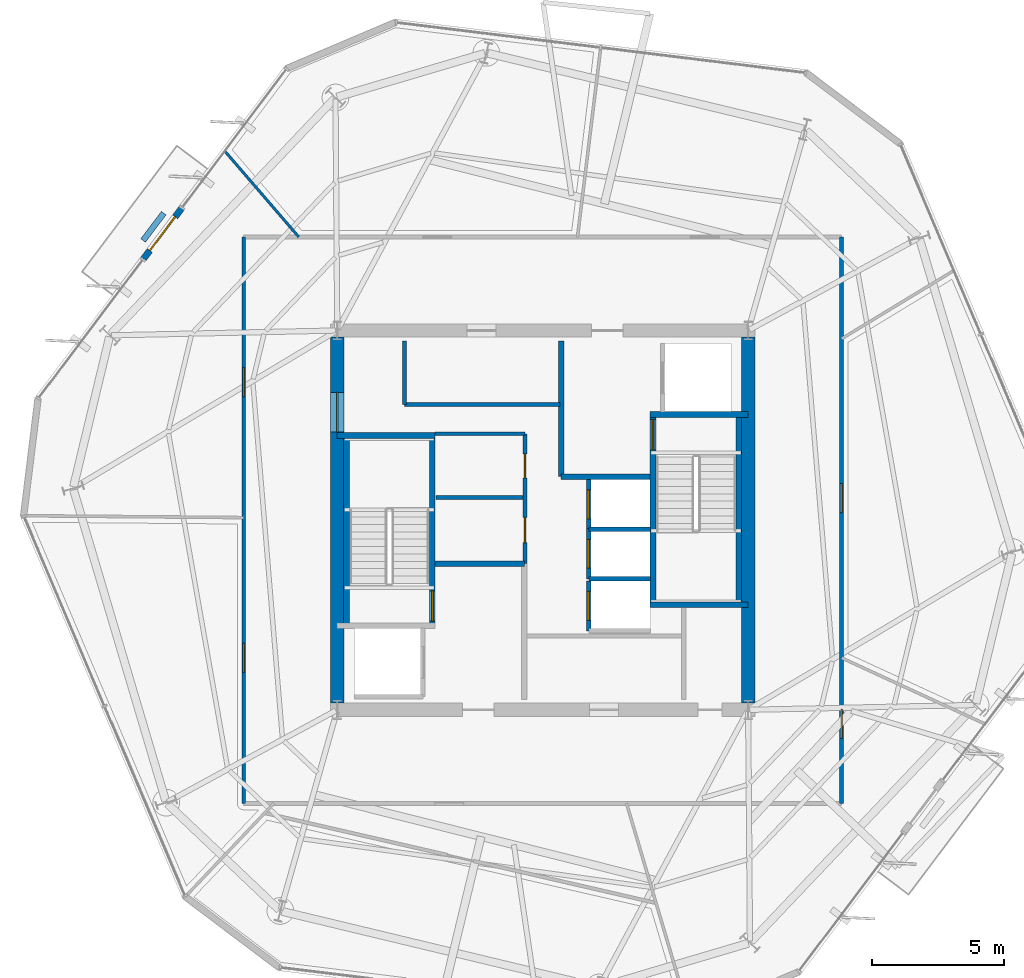
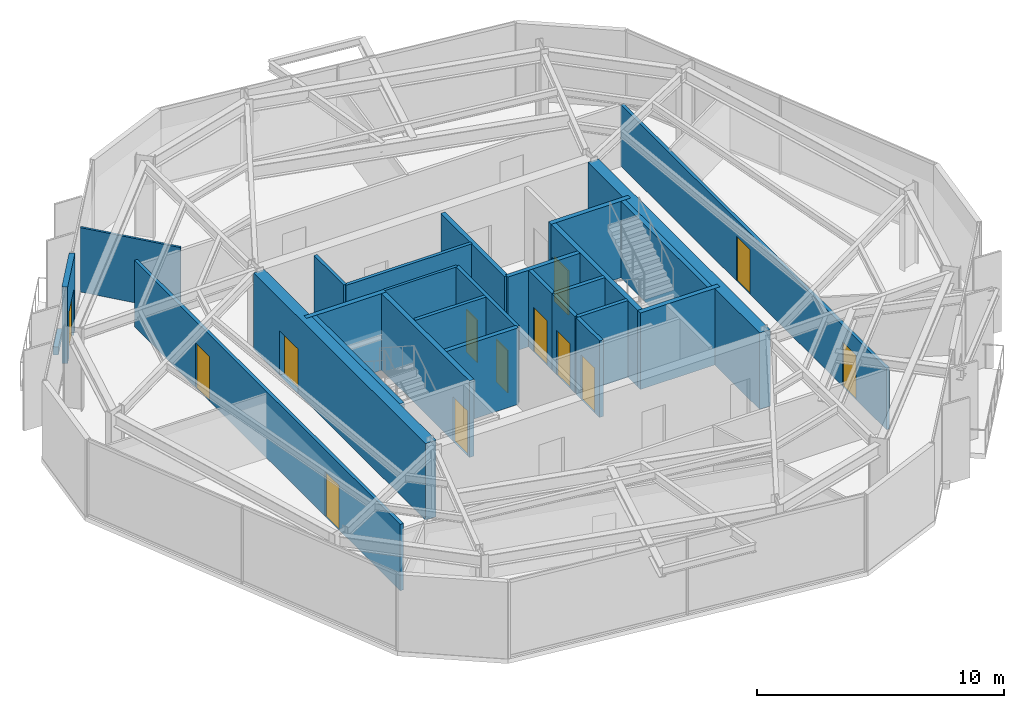
# One storey, part 8 of 12: 27 walls, 13 doors, 13 openings.
"""IFC4 building model written with IfcOpenShell, lengths in metres."""

from ifc_helpers import new_model, si_unit, direction, frame, frame_2d, origin, place, context, subcontext, project, spatial, rectangle, extrude, material, layer, layer_set, type_object, element, fill, save


model = new_model("IFC4")

# Units and contexts
model_context = context("Model", 3, precision=1e-05, world=origin(), true_north=direction((0.0, 1.0)))
body_context = subcontext(model_context, "Body", "Model", "MODEL_VIEW")
ifc_project = project(units=[si_unit("LENGTHUNIT", "METRE"), si_unit("AREAUNIT", "SQUARE_METRE"), si_unit("VOLUMEUNIT", "CUBIC_METRE"), si_unit("PLANEANGLEUNIT", "RADIAN"), si_unit("MASSUNIT", "GRAM", prefix="KILO")], contexts=[model_context])

# Site, building, storey
site_placement = place(None, origin())
site = spatial("IfcSite", under=ifc_project, at=site_placement, CompositionType="ELEMENT")
building_placement = place(site_placement, origin())
building = spatial("IfcBuilding", under=site, at=building_placement, Name="Kranzbogen Civic Tower", CompositionType="ELEMENT")
storey_placement = place(building_placement, frame((0.0, 0.0, 236.800048828125)))
storey = spatial("IfcBuildingStorey", under=building, at=storey_placement, Name="L57", CompositionType="ELEMENT", Elevation=236.800048828125)

# Walls
ifc_material_1 = material(Name="Double-Stud Acoustic Gypsum Partition")
ifc_layer_1 = layer(ifc_material_1, 0.14990234375, Name="Double-Stud Acoustic Gypsum Partition")
ifc_layer_set_1 = layer_set([ifc_layer_1], Name="Double-Stud Acoustic Gypsum Partition")
wall_type_1 = type_object("IfcWallType", Name="Acoustic Corridor and Clinical Partition 150 mm", PredefinedType="PARTITIONING", material=ifc_layer_set_1)
wall_1_placement = place(storey_placement, frame((19.75, 29.389892578125, 0.0), z_axis=(0.0, 0.0, 1.0), x_axis=(1.0, 0.0, 0.0)))
element("IfcWall", 1, at=wall_1_placement, inside=storey, type_object=wall_type_1, Name="L57 digital comms South wall", PredefinedType="PARTITIONING", context=body_context, shape_type="SweptSolid", body=[
    extrude(rectangle(XDim=5.89990234375, YDim=0.14990234375, at=frame_2d((2.949951171875, 0.0))), origin(), (0.0, 0.0, 1.0), 3.780029296875),
])
wall_2_placement = place(storey_placement, frame((19.75, 29.389892578125, 0.0), z_axis=(0.0, 0.0, 1.0), x_axis=(0.0, 1.0, 0.0)))
element("IfcWall", 2, at=wall_2_placement, inside=storey, type_object=wall_type_1, Name="L57 digital comms West wall", PredefinedType="PARTITIONING", context=body_context, shape_type="SweptSolid", body=[
    extrude(rectangle(XDim=2.41015625, YDim=0.14990234375, at=frame_2d((1.205078125, 0.0))), origin(), (0.0, 0.0, 1.0), 3.780029296875),
])

# Wall, openings, doors
wall_3_placement = place(storey_placement, frame((36.35009765625, 35.75, 0.0), z_axis=(0.0, 0.0, 1.0), x_axis=(0.0, -1.0, 0.0)))
wall_3 = element("IfcWall", 3, at=wall_3_placement, inside=storey, type_object=wall_type_1, Name="L57 corridor partition 02", PredefinedType="PARTITIONING", context=body_context, shape_type="SweptSolid", body=[
    extrude(rectangle(XDim=21.5, YDim=0.14990234375, at=frame_2d((10.75, 0.0))), origin(), (0.0, 0.0, 1.0), 3.02001953125),
])
opening_1_placement = place(wall_3_placement, frame((17.93603515625, 0.0, 0.0)))
opening_1 = element("IfcOpeningElement", 4, at=opening_1_placement, cuts=wall_3, Name="Opening D-COR60", PredefinedType="OPENING", context=body_context, shape_type="SweptSolid", body=[
    extrude(rectangle(XDim=1.10009765625, YDim=2.199951171875, at=frame_2d((0.550048828125, 1.10009765625))), frame((0.0, 0.0849609375, 0.0), z_axis=(0.0, -1.0, 0.0), x_axis=(1.0, 0.0, 0.0)), (0.0, 0.0, 1.0), 0.169921875),
])
opening_2_placement = place(wall_3_placement, frame((9.363037109375, 0.0, 0.0)))
opening_2 = element("IfcOpeningElement", 5, at=opening_2_placement, cuts=wall_3, Name="Opening D-COR60", PredefinedType="OPENING", context=body_context, shape_type="SweptSolid", body=[
    extrude(rectangle(XDim=1.10009765625, YDim=2.199951171875, at=frame_2d((0.550048828125, 1.10009765625))), frame((0.0, 0.0849609375, 0.0), z_axis=(0.0, -1.0, 0.0), x_axis=(1.0, 0.0, 0.0)), (0.0, 0.0, 1.0), 0.169921875),
])
ifc_material_2 = material(Name="Oak Timber and Fire Core", Category="wood")
door_type_1 = type_object("IfcDoorType", Name="Corridor Acoustic Fire Door 1100x2200", OperationType="NOTDEFINED", PredefinedType="DOOR", material=ifc_material_2)
door_1_placement = place(opening_1_placement, origin())
door_1 = element("IfcDoor", 6, at=door_1_placement, inside=storey, type_object=door_type_1, Name="L57 Operations Security Control Room door", OperationType="SINGLE_SWING_RIGHT", OverallHeight=2.199951171875, OverallWidth=1.10009765625, PredefinedType="DOOR", context=body_context, shape_type="SweptSolid", body=[
    extrude(rectangle(XDim=1.10009765625, YDim=2.199951171875, at=frame_2d((0.550048828125, 1.10009765625))), frame((0.0, 0.02490234375, 0.0), z_axis=(0.0, -1.0, 0.0), x_axis=(1.0, 0.0, 0.0)), (0.0, 0.0, 1.0), 0.050048828125),
])
fill(opening_1, door_1)
door_2_placement = place(opening_2_placement, origin())
door_2 = element("IfcDoor", 7, at=door_2_placement, inside=storey, type_object=door_type_1, Name="L57 Central Mail Post Room door", OperationType="SINGLE_SWING_LEFT", OverallHeight=2.199951171875, OverallWidth=1.10009765625, PredefinedType="DOOR", context=body_context, shape_type="SweptSolid", body=[
    extrude(rectangle(XDim=1.10009765625, YDim=2.199951171875, at=frame_2d((0.550048828125, 1.10009765625))), frame((0.0, 0.02490234375, 0.0), z_axis=(0.0, -1.0, 0.0), x_axis=(1.0, 0.0, 0.0)), (0.0, 0.0, 1.0), 0.050048828125),
])
fill(opening_2, door_2)

wall_4_placement = place(storey_placement, frame((13.64990234375, 14.25, 0.0), z_axis=(0.0, 0.0, 1.0), x_axis=(0.0, 1.0, 0.0)))
wall_4 = element("IfcWall", 8, at=wall_4_placement, inside=storey, type_object=wall_type_1, Name="L57 corridor partition 04", PredefinedType="PARTITIONING", context=body_context, shape_type="SweptSolid", body=[
    extrude(rectangle(XDim=21.5, YDim=0.14990234375, at=frame_2d((10.75, 0.0))), origin(), (0.0, 0.0, 1.0), 3.280029296875),
])
opening_3_placement = place(wall_4_placement, frame((4.968017578125, 0.0, 0.0)))
opening_3 = element("IfcOpeningElement", 9, at=opening_3_placement, cuts=wall_4, Name="Opening D-COR60", PredefinedType="OPENING", context=body_context, shape_type="SweptSolid", body=[
    extrude(rectangle(XDim=1.10009765625, YDim=2.199951171875, at=frame_2d((0.550048828125, 1.10009765625))), frame((0.0, 0.0849609375, 0.0), z_axis=(0.0, -1.0, 0.0), x_axis=(1.0, 0.0, 0.0)), (0.0, 0.0, 1.0), 0.169921875),
])
opening_4_placement = place(wall_4_placement, frame((15.43994140625, 0.0, 0.0)))
opening_4 = element("IfcOpeningElement", 10, at=opening_4_placement, cuts=wall_4, Name="Opening D-COR60", PredefinedType="OPENING", context=body_context, shape_type="SweptSolid", body=[
    extrude(rectangle(XDim=1.10009765625, YDim=2.199951171875, at=frame_2d((0.550048828125, 1.10009765625))), frame((0.0, 0.0849609375, 0.0), z_axis=(0.0, -1.0, 0.0), x_axis=(1.0, 0.0, 0.0)), (0.0, 0.0, 1.0), 0.169921875),
])
door_3_placement = place(opening_3_placement, origin())
door_3 = element("IfcDoor", 11, at=door_3_placement, inside=storey, type_object=door_type_1, Name="L57 Delegates Sitting Lounge door", OperationType="SINGLE_SWING_LEFT", OverallHeight=2.199951171875, OverallWidth=1.10009765625, PredefinedType="DOOR", context=body_context, shape_type="SweptSolid", body=[
    extrude(rectangle(XDim=1.10009765625, YDim=2.199951171875, at=frame_2d((0.550048828125, 1.10009765625))), frame((0.0, 0.02490234375, 0.0), z_axis=(0.0, -1.0, 0.0), x_axis=(1.0, 0.0, 0.0)), (0.0, 0.0, 1.0), 0.050048828125),
])
fill(opening_3, door_3)
door_4_placement = place(opening_4_placement, origin())
door_4 = element("IfcDoor", 12, at=door_4_placement, inside=storey, type_object=door_type_1, Name="L57 Public Delegation Reception door", OperationType="SINGLE_SWING_RIGHT", OverallHeight=2.199951171875, OverallWidth=1.10009765625, PredefinedType="DOOR", context=body_context, shape_type="SweptSolid", body=[
    extrude(rectangle(XDim=1.10009765625, YDim=2.199951171875, at=frame_2d((0.550048828125, 1.10009765625))), frame((0.0, 0.02490234375, 0.0), z_axis=(0.0, -1.0, 0.0), x_axis=(1.0, 0.0, 0.0)), (0.0, 0.0, 1.0), 0.050048828125),
])
fill(opening_4, door_4)

# Walls
ifc_material_3 = material(Name="Insulated Metal-Stud Gypsum Partition")
ifc_layer_2 = layer(ifc_material_3, 0.125, Name="Insulated Metal-Stud Gypsum Partition")
ifc_layer_set_2 = layer_set([ifc_layer_2], Name="Insulated Metal-Stud Gypsum Partition")
wall_type_2 = type_object("IfcWallType", Name="Acoustic Inter-Room Partition 125 mm", PredefinedType="PARTITIONING", material=ifc_layer_set_2)
wall_5_placement = place(storey_placement, frame((20.919921875, 28.280029296875, 0.0), z_axis=(0.0, 0.0, 1.0), x_axis=(1.0, 0.0, 0.0)))
element("IfcWall", 13, at=wall_5_placement, inside=storey, type_object=wall_type_2, Name="L57 core auxiliary North wall", PredefinedType="PARTITIONING", context=body_context, shape_type="SweptSolid", body=[
    extrude(rectangle(XDim=3.405029296875, YDim=0.125, at=frame_2d((1.70263671875, 0.0))), origin(), (0.0, 0.0, 1.0), 3.780029296875),
])
ifc_material_4 = material(Name="Architectural Precast Terracotta Concrete C40/50", Category="masonry")
ifc_layer_3 = layer(ifc_material_4, 0.219970703125, Name="Architectural Precast Terracotta Concrete C40/50")
ifc_layer_set_3 = layer_set([ifc_layer_3], Name="Architectural Precast Terracotta Concrete C40/50")
wall_type_3 = type_object("IfcWallType", Name="Architectural Tree Planter Kerb Wall 220 mm", PredefinedType="USERDEFINED", material=ifc_layer_set_3)
wall_6_placement = place(storey_placement, frame((10.612060546875, 36.655029296875, 0.0), z_axis=(0.0, 0.0, 1.0), x_axis=(-0.601681803176, -0.798735881081, 0.0)))
element("IfcWall", 14, at=wall_6_placement, inside=storey, type_object=wall_type_3, Name="L57 landscaped tree balcony planter L57-TB1", ObjectType="PLANTER_WALL", PredefinedType="USERDEFINED", context=body_context, shape_type="SweptSolid", body=[
    extrude(rectangle(XDim=1.299560546875, YDim=0.219970703125, at=frame_2d((0.64990234375, 0.0))), origin(), (0.0, 0.0, 1.0), 0.39990234375),
])

# Wall, opening, door
ifc_material_5 = material(Name="Concrete C45/55", Category="concrete")
ifc_layer_4 = layer(ifc_material_5, 0.5, Name="Concrete C45/55")
ifc_layer_set_4 = layer_set([ifc_layer_4], Name="Concrete C45/55")
wall_type_4 = type_object("IfcWallType", Name="Central Core Shear Wall 500 mm", PredefinedType="SHEAR", material=ifc_layer_set_4)
wall_7_placement = place(storey_placement, frame((17.199951171875, 31.949951171875, 0.0), z_axis=(0.0, 0.0, 1.0), x_axis=(0.0, -1.0, 0.0)))
wall_7 = element("IfcWall", 15, at=wall_7_placement, inside=storey, type_object=wall_type_4, Name="L57 central core West shear wall", PredefinedType="SHEAR", context=body_context, shape_type="SweptSolid", body=[
    extrude(rectangle(XDim=13.89990234375, YDim=0.5, at=frame_2d((6.949951171875, 0.0))), origin(), (0.0, 0.0, 1.0), 3.780029296875),
])
opening_5_placement = place(wall_7_placement, frame((2.10009765625, 0.0, 0.0)))
opening_5 = element("IfcOpeningElement", 16, at=opening_5_placement, cuts=wall_7, Name="Opening D-DBL15", PredefinedType="OPENING", context=body_context, shape_type="SweptSolid", body=[
    extrude(rectangle(XDim=1.5, YDim=2.199951171875, at=frame_2d((0.75, 1.10009765625))), frame((0.0, 0.260009765625, 0.0), z_axis=(0.0, -1.0, 0.0), x_axis=(1.0, 0.0, 0.0)), (0.0, 0.0, 1.0), 0.52001953125),
])
ifc_material_6 = material(Name="Anodised Bronze and Glass", Category="glass")
door_type_2 = type_object("IfcDoorType", Name="Civic Lobby Double Door 1500x2200", OperationType="DOUBLE_DOOR_SINGLE_SWING", PredefinedType="DOOR", material=ifc_material_6)
door_5_placement = place(opening_5_placement, origin())
door_5 = element("IfcDoor", 17, at=door_5_placement, inside=storey, type_object=door_type_2, Name="L57 Central Lift Lobby West concourse door", OperationType="DOUBLE_DOOR_SINGLE_SWING", OverallHeight=2.199951171875, OverallWidth=1.5, PredefinedType="DOOR", context=body_context, shape_type="SweptSolid", body=[
    extrude(rectangle(XDim=1.5, YDim=2.199951171875, at=frame_2d((0.75, 1.10009765625))), frame((0.0, 0.02490234375, 0.0), z_axis=(0.0, -1.0, 0.0), x_axis=(1.0, 0.0, 0.0)), (0.0, 0.0, 1.0), 0.050048828125),
])
fill(opening_5, door_5)

# Wall
wall_8_placement = place(storey_placement, frame((32.800048828125, 18.050048828125, 0.0), z_axis=(0.0, 0.0, 1.0), x_axis=(0.0, 1.0, 0.0)))
element("IfcWall", 18, at=wall_8_placement, inside=storey, type_object=wall_type_4, Name="L57 central core East shear wall", PredefinedType="SHEAR", context=body_context, shape_type="SweptSolid", body=[
    extrude(rectangle(XDim=13.89990234375, YDim=0.5, at=frame_2d((6.949951171875, 0.0))), origin(), (0.0, 0.0, 1.0), 3.780029296875),
])

# Wall, opening, door
ifc_layer_5 = layer(ifc_material_5, 0.219970703125, Name="Concrete C45/55")
ifc_layer_set_5 = layer_set([ifc_layer_5], Name="Concrete C45/55")
wall_type_5 = type_object("IfcWallType", Name="Core Internal Stair Structural Wall 220 mm", PredefinedType="SOLIDWALL", material=ifc_layer_set_5)
wall_9_placement = place(storey_placement, frame((20.81005859375, 20.989990234375, 0.0), z_axis=(0.0, 0.0, 1.0), x_axis=(0.0, 1.0, 0.0)))
wall_9 = element("IfcWall", 19, at=wall_9_placement, inside=storey, type_object=wall_type_5, Name="L57 ST-T1 East structural stair wall", PredefinedType="SOLIDWALL", context=body_context, shape_type="SweptSolid", body=[
    extrude(rectangle(XDim=7.219970703125, YDim=0.219970703125, at=frame_2d((3.60986328125, 0.0))), origin(), (0.0, 0.0, 1.0), 3.780029296875),
])
opening_6_placement = place(wall_9_placement, frame((0.179931640625, 0.0, 0.0)))
opening_6 = element("IfcOpeningElement", 20, at=opening_6_placement, cuts=wall_9, Name="Opening D-ST90", PredefinedType="OPENING", context=body_context, shape_type="SweptSolid", body=[
    extrude(rectangle(XDim=1.14990234375, YDim=2.199951171875, at=frame_2d((0.574951171875, 1.10009765625))), frame((0.0, 0.1201171875, 0.0), z_axis=(0.0, -1.0, 0.0), x_axis=(1.0, 0.0, 0.0)), (0.0, 0.0, 1.0), 0.239990234375),
])
ifc_material_7 = material(Name="Steel S355", Category="steel")
door_type_3 = type_object("IfcDoorType", Name="Pressurized Stair and Lobby Fire Door 1150x2200", OperationType="NOTDEFINED", PredefinedType="DOOR", material=ifc_material_7)
door_6_placement = place(opening_6_placement, origin())
door_6 = element("IfcDoor", 21, at=door_6_placement, inside=storey, type_object=door_type_3, Name="L57 Stair ST-T1 fire door", OperationType="SINGLE_SWING_RIGHT", OverallHeight=2.199951171875, OverallWidth=1.14990234375, PredefinedType="DOOR", context=body_context, shape_type="SweptSolid", body=[
    extrude(rectangle(XDim=1.14990234375, YDim=2.199951171875, at=frame_2d((0.574951171875, 1.10009765625))), frame((0.0, 0.02490234375, 0.0), z_axis=(0.0, -1.0, 0.0), x_axis=(1.0, 0.0, 0.0)), (0.0, 0.0, 1.0), 0.050048828125),
])
fill(opening_6, door_6)

# Walls
wall_10_placement = place(storey_placement, frame((17.199951171875, 28.2099609375, 0.0), z_axis=(0.0, 0.0, 1.0), x_axis=(1.0, 0.0, 0.0)))
element("IfcWall", 22, at=wall_10_placement, inside=storey, type_object=wall_type_5, Name="L57 ST-T1 North structural stair wall", PredefinedType="SOLIDWALL", context=body_context, shape_type="SweptSolid", body=[
    extrude(rectangle(XDim=3.719970703125, YDim=0.219970703125, at=frame_2d((1.85986328125, 0.0))), origin(), (0.0, 0.0, 1.0), 3.780029296875),
])
wall_11_placement = place(storey_placement, frame((17.554931640625, 28.2099609375, 0.0), z_axis=(0.0, 0.0, 1.0), x_axis=(0.0, -1.0, 0.0)))
element("IfcWall", 23, at=wall_11_placement, inside=storey, type_object=wall_type_5, Name="L57 ST-T1 West structural stair wall", PredefinedType="SOLIDWALL", context=body_context, shape_type="SweptSolid", body=[
    extrude(rectangle(XDim=7.219970703125, YDim=0.219970703125, at=frame_2d((3.60986328125, 0.0))), origin(), (0.0, 0.0, 1.0), 3.780029296875),
])

# Wall, opening, door
wall_12_placement = place(storey_placement, frame((29.18994140625, 21.7900390625, 0.0), z_axis=(0.0, 0.0, 1.0), x_axis=(0.0, 1.0, 0.0)))
wall_12 = element("IfcWall", 24, at=wall_12_placement, inside=storey, type_object=wall_type_5, Name="L57 ST-T2 West structural stair wall", PredefinedType="SOLIDWALL", context=body_context, shape_type="SweptSolid", body=[
    extrude(rectangle(XDim=7.219970703125, YDim=0.219970703125, at=frame_2d((3.60986328125, 0.0))), origin(), (0.0, 0.0, 1.0), 3.780029296875),
])
opening_7_placement = place(wall_12_placement, frame((5.8798828125, 0.0, 0.0)))
opening_7 = element("IfcOpeningElement", 25, at=opening_7_placement, cuts=wall_12, Name="Opening D-ST90", PredefinedType="OPENING", context=body_context, shape_type="SweptSolid", body=[
    extrude(rectangle(XDim=1.14990234375, YDim=2.199951171875, at=frame_2d((0.574951171875, 1.10009765625))), frame((0.0, 0.1201171875, 0.0), z_axis=(0.0, -1.0, 0.0), x_axis=(1.0, 0.0, 0.0)), (0.0, 0.0, 1.0), 0.239990234375),
])
door_7_placement = place(opening_7_placement, origin())
door_7 = element("IfcDoor", 26, at=door_7_placement, inside=storey, type_object=door_type_3, Name="L57 Stair ST-T2 fire door", OperationType="SINGLE_SWING_LEFT", OverallHeight=2.199951171875, OverallWidth=1.14990234375, PredefinedType="DOOR", context=body_context, shape_type="SweptSolid", body=[
    extrude(rectangle(XDim=1.14990234375, YDim=2.199951171875, at=frame_2d((0.574951171875, 1.10009765625))), frame((0.0, 0.02490234375, 0.0), z_axis=(0.0, -1.0, 0.0), x_axis=(1.0, 0.0, 0.0)), (0.0, 0.0, 1.0), 0.050048828125),
])
fill(opening_7, door_7)

# Walls
for number, where, z_axis, x_axis, name in (
    (27, (29.080078125, 21.7900390625, 0.0), (0.0, 0.0, 1.0), (1.0, 0.0, 0.0), "L57 ST-T2 South structural stair wall"),
    (28, (29.080078125, 29.010009765625, 0.0), (0.0, 0.0, 1.0), (1.0, 0.0, 0.0), "L57 ST-T2 North structural stair wall"),
):
    element("IfcWall", number, at=place(storey_placement, frame(where, z_axis=z_axis, x_axis=x_axis)), inside=storey, type_object=wall_type_5, Name=name, PredefinedType="SOLIDWALL", context=body_context, shape_type="SweptSolid", body=[
        extrude(rectangle(XDim=3.719970703125, YDim=0.219970703125, at=frame_2d((1.85986328125, 0.0))), origin(), (0.0, 0.0, 1.0), 3.780029296875),
    ])
wall_13_placement = place(storey_placement, frame((32.445068359375, 29.010009765625, 0.0), z_axis=(0.0, 0.0, 1.0), x_axis=(0.0, -1.0, 0.0)))
element("IfcWall", 29, at=wall_13_placement, inside=storey, type_object=wall_type_5, Name="L57 ST-T2 East structural stair wall", PredefinedType="SOLIDWALL", context=body_context, shape_type="SweptSolid", body=[
    extrude(rectangle(XDim=7.219970703125, YDim=0.219970703125, at=frame_2d((3.60986328125, 0.0))), origin(), (0.0, 0.0, 1.0), 3.780029296875),
])
ifc_material_8 = material(Name="Demountable Aluminium and Gypsum Partition", Category="aluminium")
ifc_layer_6 = layer(ifc_material_8, 0.10009765625, Name="Demountable Aluminium and Gypsum Partition")
ifc_layer_set_6 = layer_set([ifc_layer_6], Name="Demountable Aluminium and Gypsum Partition")
wall_type_6 = type_object("IfcWallType", Name="Demountable Office Partition 100 mm", PredefinedType="MOVABLE", material=ifc_layer_set_6)
wall_14_placement = place(storey_placement, frame((15.739990234375, 35.75, 0.0), z_axis=(0.0, 0.0, 1.0), x_axis=(-0.652566727063, 0.75773126287, 0.0)))
element("IfcWall", 30, at=wall_14_placement, inside=storey, type_object=wall_type_6, Name="L57 radial room partition 02", PredefinedType="MOVABLE", context=body_context, shape_type="SweptSolid", body=[
    extrude(rectangle(XDim=4.287841796875, YDim=0.10009765625, at=frame_2d((2.14404296875, 0.0))), origin(), (0.0, 0.0, 1.0), 3.179931640625),
])
ifc_material_9 = material(Name="Gypsum Fireboard and Concrete Block", Category="concrete")
ifc_layer_7 = layer(ifc_material_9, 0.199951171875, Name="Gypsum Fireboard and Concrete Block")
ifc_layer_set_7 = layer_set([ifc_layer_7], Name="Gypsum Fireboard and Concrete Block")
wall_type_7 = type_object("IfcWallType", Name="Fire-Rated Exit Passageway and Stair Wall 200 mm", PredefinedType="PARTITIONING", material=ifc_layer_set_7)
wall_15_placement = place(storey_placement, frame((20.919921875, 23.35009765625, 0.0), z_axis=(0.0, 0.0, 1.0), x_axis=(1.0, 0.0, 0.0)))
element("IfcWall", 31, at=wall_15_placement, inside=storey, type_object=wall_type_7, Name="L57 West firefighting lobby North wall", PredefinedType="PARTITIONING", context=body_context, shape_type="SweptSolid", body=[
    extrude(rectangle(XDim=3.380126953125, YDim=0.199951171875, at=frame_2d((1.68994140625, 0.0))), origin(), (0.0, 0.0, 1.0), 3.780029296875),
])
wall_16_placement = place(storey_placement, frame((25.699951171875, 26.64990234375, 0.0), z_axis=(0.0, 0.0, 1.0), x_axis=(0.0, 1.0, 0.0)))
element("IfcWall", 32, at=wall_16_placement, inside=storey, type_object=wall_type_7, Name="L57 East firefighting lobby West wall", PredefinedType="PARTITIONING", context=body_context, shape_type="SweptSolid", body=[
    extrude(rectangle(XDim=5.150146484375, YDim=0.199951171875, at=frame_2d((2.5751953125, 0.0))), origin(), (0.0, 0.0, 1.0), 3.780029296875),
])
wall_17_placement = place(storey_placement, frame((25.699951171875, 26.64990234375, 0.0), z_axis=(0.0, 0.0, 1.0), x_axis=(1.0, 0.0, 0.0)))
element("IfcWall", 33, at=wall_17_placement, inside=storey, type_object=wall_type_7, Name="L57 East firefighting lobby South wall", PredefinedType="PARTITIONING", context=body_context, shape_type="SweptSolid", body=[
    extrude(rectangle(XDim=3.380126953125, YDim=0.199951171875, at=frame_2d((1.68994140625, 0.0))), origin(), (0.0, 0.0, 1.0), 3.780029296875),
])

# Wall, opening, door
ifc_material_10 = material(Name="Gypsum Fireboard Shaftliner")
ifc_layer_8 = layer(ifc_material_10, 0.175048828125, Name="Gypsum Fireboard Shaftliner")
ifc_layer_set_8 = layer_set([ifc_layer_8], Name="Gypsum Fireboard Shaftliner")
wall_type_8 = type_object("IfcWallType", Name="Fire-Rated Lift and Service Shaft Wall 175 mm", PredefinedType="PARTITIONING", material=ifc_layer_set_8)
wall_18_placement = place(storey_placement, frame((26.75, 20.800048828125, 0.0), z_axis=(0.0, 0.0, 1.0), x_axis=(0.0, 1.0, 0.0)))
wall_18 = element("IfcWall", 34, at=wall_18_placement, inside=storey, type_object=wall_type_8, Name="L57 lift HP-01 landing wall", PredefinedType="PARTITIONING", context=body_context, shape_type="SweptSolid", body=[
    extrude(rectangle(XDim=1.89990234375, YDim=0.175048828125, at=frame_2d((0.949951171875, 0.0))), origin(), (0.0, 0.0, 1.0), 3.780029296875),
])
opening_8_placement = place(wall_18_placement, frame((0.39990234375, 0.0, 0.0)))
opening_8 = element("IfcOpeningElement", 35, at=opening_8_placement, cuts=wall_18, Name="Opening LD-HP-01", PredefinedType="OPENING", context=body_context, shape_type="SweptSolid", body=[
    extrude(rectangle(XDim=1.10009765625, YDim=2.199951171875, at=frame_2d((0.550048828125, 1.10009765625))), frame((0.0, 0.09765625, 0.0), z_axis=(0.0, -1.0, 0.0), x_axis=(1.0, 0.0, 0.0)), (0.0, 0.0, 1.0), 0.195068359375),
])
ifc_material_11 = material(Name="Pale Anodised Aluminium", Category="aluminium")
door_type_4 = type_object("IfcDoorType", Name="Passenger Lift Sliding Landing Door 1100x2200", OperationType="DOUBLE_DOOR_SLIDING", PredefinedType="DOOR", material=ifc_material_11)
door_8_placement = place(opening_8_placement, origin())
door_8 = element("IfcDoor", 36, at=door_8_placement, inside=storey, type_object=door_type_4, Name="L57 lift HP-01 sliding landing door", OperationType="DOUBLE_DOOR_SLIDING", OverallHeight=2.199951171875, OverallWidth=1.10009765625, PredefinedType="DOOR", context=body_context, shape_type="SweptSolid", body=[
    extrude(rectangle(XDim=1.10009765625, YDim=2.199951171875, at=frame_2d((0.550048828125, 1.10009765625))), frame((0.0, 0.02490234375, 0.0), z_axis=(0.0, -1.0, 0.0), x_axis=(1.0, 0.0, 0.0)), (0.0, 0.0, 1.0), 0.050048828125),
])
fill(opening_8, door_8)

wall_19_placement = place(storey_placement, frame((26.75, 22.77490234375, 0.0), z_axis=(0.0, 0.0, 1.0), x_axis=(0.0, 1.0, 0.0)))
wall_19 = element("IfcWall", 37, at=wall_19_placement, inside=storey, type_object=wall_type_8, Name="L57 lift HP-02 landing wall", PredefinedType="PARTITIONING", context=body_context, shape_type="SweptSolid", body=[
    extrude(rectangle(XDim=1.900146484375, YDim=0.175048828125, at=frame_2d((0.9501953125, 0.0))), origin(), (0.0, 0.0, 1.0), 3.780029296875),
])
opening_9_placement = place(wall_19_placement, frame((0.39990234375, 0.0, 0.0)))
opening_9 = element("IfcOpeningElement", 38, at=opening_9_placement, cuts=wall_19, Name="Opening LD-HP-02", PredefinedType="OPENING", context=body_context, shape_type="SweptSolid", body=[
    extrude(rectangle(XDim=1.10009765625, YDim=2.199951171875, at=frame_2d((0.550048828125, 1.10009765625))), frame((0.0, 0.09765625, 0.0), z_axis=(0.0, -1.0, 0.0), x_axis=(1.0, 0.0, 0.0)), (0.0, 0.0, 1.0), 0.195068359375),
])
door_9_placement = place(opening_9_placement, origin())
door_9 = element("IfcDoor", 39, at=door_9_placement, inside=storey, type_object=door_type_4, Name="L57 lift HP-02 sliding landing door", OperationType="DOUBLE_DOOR_SLIDING", OverallHeight=2.199951171875, OverallWidth=1.10009765625, PredefinedType="DOOR", context=body_context, shape_type="SweptSolid", body=[
    extrude(rectangle(XDim=1.10009765625, YDim=2.199951171875, at=frame_2d((0.550048828125, 1.10009765625))), frame((0.0, 0.02490234375, 0.0), z_axis=(0.0, -1.0, 0.0), x_axis=(1.0, 0.0, 0.0)), (0.0, 0.0, 1.0), 0.050048828125),
])
fill(opening_9, door_9)

# Wall
wall_20_placement = place(storey_placement, frame((26.75, 22.77490234375, 0.0), z_axis=(0.0, 0.0, 1.0), x_axis=(1.0, 0.0, 0.0)))
element("IfcWall", 40, at=wall_20_placement, inside=storey, type_object=wall_type_8, Name="L57 lift HP-02 side wall", PredefinedType="PARTITIONING", context=body_context, shape_type="SweptSolid", body=[
    extrude(rectangle(XDim=2.35009765625, YDim=0.175048828125, at=frame_2d((1.175048828125, 0.0))), origin(), (0.0, 0.0, 1.0), 3.780029296875),
])

# Wall, opening, door
wall_21_placement = place(storey_placement, frame((26.75, 24.64990234375, 0.0), z_axis=(0.0, 0.0, 1.0), x_axis=(0.0, 1.0, 0.0)))
wall_21 = element("IfcWall", 41, at=wall_21_placement, inside=storey, type_object=wall_type_8, Name="L57 lift HP-03 landing wall", PredefinedType="PARTITIONING", context=body_context, shape_type="SweptSolid", body=[
    extrude(rectangle(XDim=1.900146484375, YDim=0.175048828125, at=frame_2d((0.9501953125, 0.0))), origin(), (0.0, 0.0, 1.0), 3.780029296875),
])
opening_10_placement = place(wall_21_placement, frame((0.39990234375, 0.0, 0.0)))
opening_10 = element("IfcOpeningElement", 42, at=opening_10_placement, cuts=wall_21, Name="Opening LD-HP-03", PredefinedType="OPENING", context=body_context, shape_type="SweptSolid", body=[
    extrude(rectangle(XDim=1.10009765625, YDim=2.199951171875, at=frame_2d((0.550048828125, 1.10009765625))), frame((0.0, 0.09765625, 0.0), z_axis=(0.0, -1.0, 0.0), x_axis=(1.0, 0.0, 0.0)), (0.0, 0.0, 1.0), 0.195068359375),
])
door_10_placement = place(opening_10_placement, origin())
door_10 = element("IfcDoor", 43, at=door_10_placement, inside=storey, type_object=door_type_4, Name="L57 lift HP-03 sliding landing door", OperationType="DOUBLE_DOOR_SLIDING", OverallHeight=2.199951171875, OverallWidth=1.10009765625, PredefinedType="DOOR", context=body_context, shape_type="SweptSolid", body=[
    extrude(rectangle(XDim=1.10009765625, YDim=2.199951171875, at=frame_2d((0.550048828125, 1.10009765625))), frame((0.0, 0.02490234375, 0.0), z_axis=(0.0, -1.0, 0.0), x_axis=(1.0, 0.0, 0.0)), (0.0, 0.0, 1.0), 0.050048828125),
])
fill(opening_10, door_10)

# Wall
wall_22_placement = place(storey_placement, frame((26.75, 24.64990234375, 0.0), z_axis=(0.0, 0.0, 1.0), x_axis=(1.0, 0.0, 0.0)))
element("IfcWall", 44, at=wall_22_placement, inside=storey, type_object=wall_type_8, Name="L57 lift HP-03 side wall", PredefinedType="PARTITIONING", context=body_context, shape_type="SweptSolid", body=[
    extrude(rectangle(XDim=2.35009765625, YDim=0.175048828125, at=frame_2d((1.175048828125, 0.0))), origin(), (0.0, 0.0, 1.0), 3.780029296875),
])

# Wall, opening, door
ifc_layer_9 = layer(ifc_material_11, 0.239990234375, Name="Pale Anodised Aluminium")
ifc_layer_set_9 = layer_set([ifc_layer_9], Name="Pale Anodised Aluminium")
wall_type_9 = type_object("IfcWallType", Name="Insulated Aluminium Facade Portal Wall 240 mm", PredefinedType="STANDARD", material=ifc_layer_set_9)
wall_23_placement = place(storey_placement, frame((11.2900390625, 36.833984375, 0.0), z_axis=(0.0, 0.0, 1.0), x_axis=(-0.601950815561, -0.798533165025, 0.0)))
wall_23 = element("IfcWall", 45, at=wall_23_placement, inside=storey, type_object=wall_type_9, Name="L57 exterior entrance portal wall 1", PredefinedType="STANDARD", context=body_context, shape_type="SweptSolid", body=[
    extrude(rectangle(XDim=2.400634765625, YDim=0.239990234375, at=frame_2d((1.2001953125, 0.0))), origin(), (0.0, 0.0, 1.0), 3.780029296875),
])
opening_11_placement = place(wall_23_placement, frame((0.39990234375, 0.0, 0.0)))
opening_11 = element("IfcOpeningElement", 46, at=opening_11_placement, cuts=wall_23, Name="Opening D-TER", PredefinedType="OPENING", context=body_context, shape_type="SweptSolid", body=[
    extrude(rectangle(XDim=1.60009765625, YDim=2.25, at=frame_2d((0.800048828125, 1.125))), frame((0.0, 0.1298828125, 0.0), z_axis=(0.0, -1.0, 0.0), x_axis=(1.0, 0.0, 0.0)), (0.0, 0.0, 1.0), 0.260009765625),
])
ifc_material_12 = material(Name="Anodised Bronze and Triple Glass", Category="glass")
door_type_5 = type_object("IfcDoorType", Name="Glazed Terrace and Balcony Double Door 1600x2250", OperationType="DOUBLE_DOOR_SINGLE_SWING", PredefinedType="DOOR", material=ifc_material_12)
door_11_placement = place(opening_11_placement, frame((1.60009765625, 0.0, 0.0), z_axis=(0.0, 0.0, 1.0), x_axis=(-1.0, 0.0, 0.0)))
door_11 = element("IfcDoor", 47, at=door_11_placement, inside=storey, type_object=door_type_5, Name="L57 tree balcony access door L57-TB1", OperationType="DOUBLE_DOOR_SINGLE_SWING", OverallHeight=2.25, OverallWidth=1.60009765625, PredefinedType="DOOR", context=body_context, shape_type="SweptSolid", body=[
    extrude(rectangle(XDim=1.60009765625, YDim=2.25, at=frame_2d((0.800048828125, 1.125))), frame((0.0, 0.02490234375, 0.0), z_axis=(0.0, -1.0, 0.0), x_axis=(1.0, 0.0, 0.0)), (0.0, 0.0, 1.0), 0.050048828125),
])
fill(opening_11, door_11)

# Wall, openings, doors
ifc_material_13 = material(Name="Moisture-Resistant Gypsum Assembly")
ifc_layer_10 = layer(ifc_material_13, 0.159912109375, Name="Moisture-Resistant Gypsum Assembly")
ifc_layer_set_10 = layer_set([ifc_layer_10], Name="Moisture-Resistant Gypsum Assembly")
wall_type_10 = type_object("IfcWallType", Name="Sanitary and Plumbing Wet Wall 160 mm", PredefinedType="PLUMBINGWALL", material=ifc_layer_set_10)
wall_24_placement = place(storey_placement, frame((24.324951171875, 23.35009765625, 0.0), z_axis=(0.0, 0.0, 1.0), x_axis=(0.0, 1.0, 0.0)))
wall_24 = element("IfcWall", 48, at=wall_24_placement, inside=storey, type_object=wall_type_10, Name="L57 core auxiliary East wall", PredefinedType="PLUMBINGWALL", context=body_context, shape_type="SweptSolid", body=[
    extrude(rectangle(XDim=4.929931640625, YDim=0.159912109375, at=frame_2d((2.46484375, 0.0))), origin(), (0.0, 0.0, 1.0), 3.780029296875),
])
opening_12_placement = place(wall_24_placement, frame((0.800048828125, 0.0, 0.0)))
opening_12 = element("IfcOpeningElement", 49, at=opening_12_placement, cuts=wall_24, Name="Opening D-AWC95", PredefinedType="OPENING", context=body_context, shape_type="SweptSolid", body=[
    extrude(rectangle(XDim=0.949951171875, YDim=2.10009765625, at=frame_2d((0.47509765625, 1.050048828125))), frame((0.0, 0.08984375, 0.0), z_axis=(0.0, -1.0, 0.0), x_axis=(1.0, 0.0, 0.0)), (0.0, 0.0, 1.0), 0.179931640625),
])
opening_13_placement = place(wall_24_placement, frame((3.260009765625, 0.0, 0.0)))
opening_13 = element("IfcOpeningElement", 50, at=opening_13_placement, cuts=wall_24, Name="Opening D-WC90", PredefinedType="OPENING", context=body_context, shape_type="SweptSolid", body=[
    extrude(rectangle(XDim=0.89990234375, YDim=2.10009765625, at=frame_2d((0.449951171875, 1.050048828125))), frame((0.0, 0.08984375, 0.0), z_axis=(0.0, -1.0, 0.0), x_axis=(1.0, 0.0, 0.0)), (0.0, 0.0, 1.0), 0.179931640625),
])
ifc_material_14 = material(Name="Moisture-Resistant Laminate")
door_type_6 = type_object("IfcDoorType", Name="Accessible Restroom Door 950x2100", OperationType="NOTDEFINED", PredefinedType="DOOR", material=ifc_material_14)
door_12_placement = place(opening_12_placement, origin())
door_12 = element("IfcDoor", 51, at=door_12_placement, inside=storey, type_object=door_type_6, Name="L57 Accessible Restroom door", OperationType="SINGLE_SWING_RIGHT", OverallHeight=2.10009765625, OverallWidth=0.949951171875, PredefinedType="DOOR", context=body_context, shape_type="SweptSolid", body=[
    extrude(rectangle(XDim=0.949951171875, YDim=2.10009765625, at=frame_2d((0.47509765625, 1.050048828125))), frame((0.0, 0.02490234375, 0.0), z_axis=(0.0, -1.0, 0.0), x_axis=(1.0, 0.0, 0.0)), (0.0, 0.0, 1.0), 0.050048828125),
])
fill(opening_12, door_12)
door_type_7 = type_object("IfcDoorType", Name="Standard Restroom and Store Door 900x2100", OperationType="NOTDEFINED", PredefinedType="DOOR", material=ifc_material_14)
door_13_placement = place(opening_13_placement, origin())
door_13 = element("IfcDoor", 52, at=door_13_placement, inside=storey, type_object=door_type_7, Name="L57 Staff Restroom door", OperationType="SINGLE_SWING_LEFT", OverallHeight=2.10009765625, OverallWidth=0.89990234375, PredefinedType="DOOR", context=body_context, shape_type="SweptSolid", body=[
    extrude(rectangle(XDim=0.89990234375, YDim=2.10009765625, at=frame_2d((0.449951171875, 1.050048828125))), frame((0.0, 0.02490234375, 0.0), z_axis=(0.0, -1.0, 0.0), x_axis=(1.0, 0.0, 0.0)), (0.0, 0.0, 1.0), 0.050048828125),
])
fill(opening_13, door_13)

# Wall
wall_25_placement = place(storey_placement, frame((20.949951171875, 25.860107421875, 0.0), z_axis=(0.0, 0.0, 1.0), x_axis=(1.0, 0.0, 0.0)))
element("IfcWall", 53, at=wall_25_placement, inside=storey, type_object=wall_type_10, Name="L57 core auxiliary partition 1", PredefinedType="PLUMBINGWALL", context=body_context, shape_type="SweptSolid", body=[
    extrude(rectangle(XDim=3.300048828125, YDim=0.159912109375, at=frame_2d((1.64990234375, 0.0))), origin(), (0.0, 0.0, 1.0), 3.780029296875),
])

save(model, "model.ifc")
